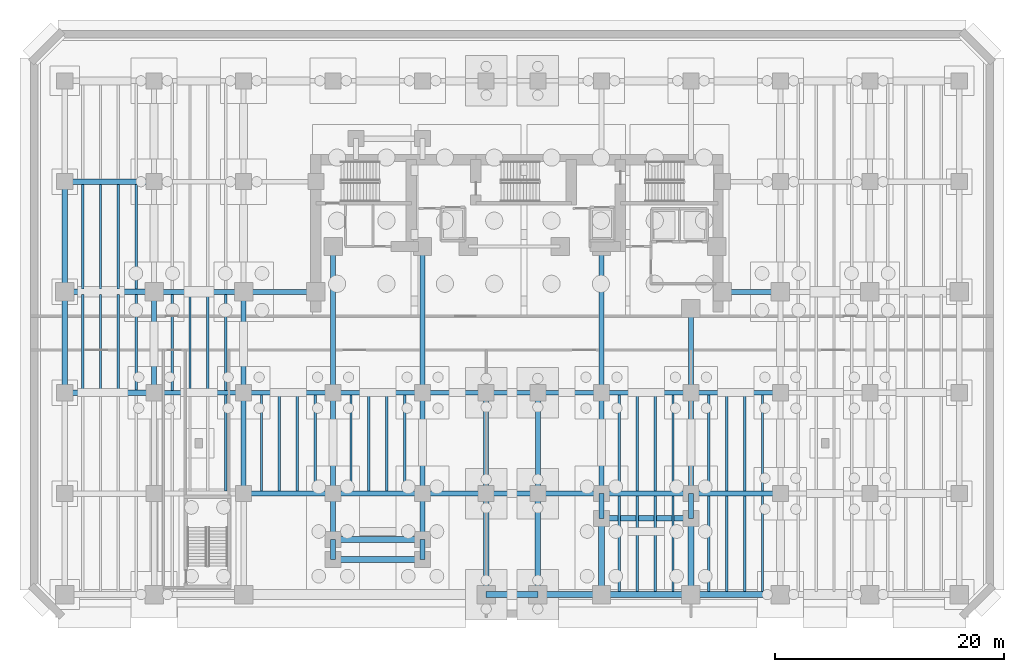
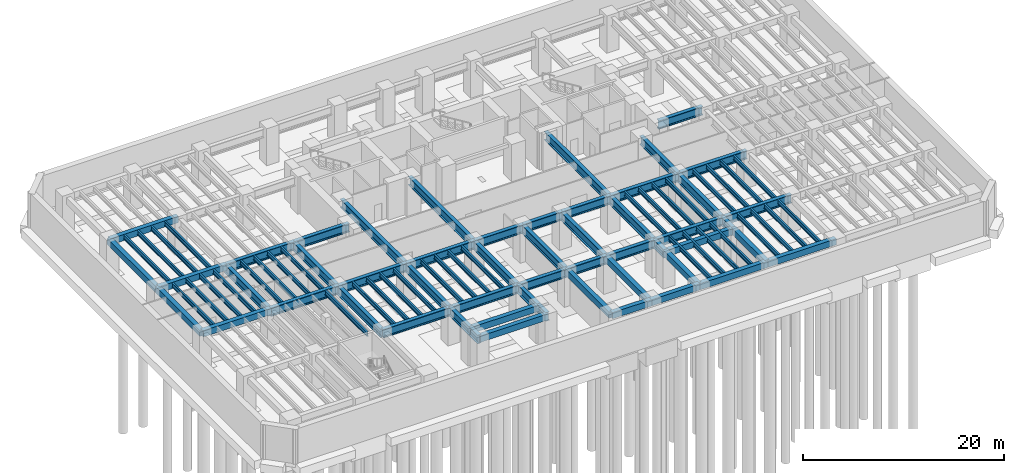
# One storey, part 4 of 13: 90 beams.
"""IFC4 building model written with IfcOpenShell, lengths in metres."""

from ifc_helpers import new_model, si_unit, direction, frame, origin, origin_2d, place, context, subcontext, project, spatial, rectangle, i_section, extrude, material, material_profile, profile_set, type_object, element, save


model = new_model("IFC4")

# Units and contexts
model_context = context("Model", 3, precision=1e-05, world=origin(), true_north=direction((0.0, 1.0)))
body_context = subcontext(model_context, "Body", "Model", "MODEL_VIEW")
ifc_project = project(units=[si_unit("LENGTHUNIT", "METRE"), si_unit("AREAUNIT", "SQUARE_METRE"), si_unit("VOLUMEUNIT", "CUBIC_METRE"), si_unit("PLANEANGLEUNIT", "RADIAN"), si_unit("MASSUNIT", "GRAM", prefix="KILO")], contexts=[model_context])

# Site, building, storey
site_placement = place(None, origin())
site = spatial("IfcSite", under=ifc_project, at=site_placement, CompositionType="ELEMENT")
building_placement = place(site_placement, origin())
building = spatial("IfcBuilding", under=site, at=building_placement, Name="Kestravale Grand Hotel", CompositionType="ELEMENT")
storey_placement = place(building_placement, frame((0.0, 0.0, -9.0)))
storey = spatial("IfcBuildingStorey", under=building, at=storey_placement, Name="B2", CompositionType="ELEMENT", Elevation=-9.0)

# Beams
ifc_material_1 = material(Name="Steel ASTM A992 Grade 50", Category="steel")
ifc_material_profile_1 = material_profile(ifc_material_1, i_section(OverallWidth=0.2099609375, OverallDepth=0.535888671875, WebThickness=0.010986328125, FlangeThickness=0.017333984375, FilletRadius=0.017578125, at=origin_2d()))
ifc_profile_set_1 = profile_set([ifc_material_profile_1], Name="Steel ASTM A992 Grade 50")
beam_type_1 = type_object("IfcBeamType", Name="B-FLR-JST21", PredefinedType="JOIST", material=ifc_profile_set_1)
for number, where, z_axis, x_axis, name in (
    (1, (1.56005859375, 20.25, 3.912109375), (0.0, 1.0, 0.0), (-1.0, 0.0, 0.0), "B2 floor joist 1-2/D-E #1"),
    (2, (3.1201171875, 20.25, 3.912109375), (0.0, 1.0, 0.0), (-1.0, 0.0, 0.0), "B2 floor joist 1-2/D-E #2"),
    (3, (4.679931640625, 20.25, 3.912109375), (0.0, 1.0, 0.0), (-1.0, 0.0, 0.0), "B2 floor joist 1-2/D-E #3"),
    (4, (6.239990234375, 20.25, 3.912109375), (0.0, 1.0, 0.0), (-1.0, 0.0, 0.0), "B2 floor joist 1-2/D-E #4"),
):
    element("IfcBeam", number, at=place(storey_placement, frame(where, z_axis=z_axis, x_axis=x_axis)), inside=storey, type_object=beam_type_1, Name=name, PredefinedType="JOIST", context=body_context, shape_type="SweptSolid", body=[
        extrude(i_section(OverallWidth=0.2099609375, OverallDepth=0.535888671875, WebThickness=0.010986328125, FlangeThickness=0.017333984375, FilletRadius=0.017578125, at=origin_2d()), origin(), (0.0, 0.0, 1.0), 8.300048828125),
    ])
for number, where, z_axis, x_axis, name in (
    (5, (1.56005859375, 29.050048828125, 3.912109375), (0.0, 1.0, 0.0), (-1.0, 0.0, 0.0), "B2 floor joist 1-2/E-F #1"),
    (6, (3.1201171875, 29.050048828125, 3.912109375), (0.0, 1.0, 0.0), (-1.0, 0.0, 0.0), "B2 floor joist 1-2/E-F #2"),
    (7, (4.679931640625, 29.050048828125, 3.912109375), (0.0, 1.0, 0.0), (-1.0, 0.0, 0.0), "B2 floor joist 1-2/E-F #3"),
    (8, (6.239990234375, 29.050048828125, 3.912109375), (0.0, 1.0, 0.0), (-1.0, 0.0, 0.0), "B2 floor joist 1-2/E-F #4"),
):
    element("IfcBeam", number, at=place(storey_placement, frame(where, z_axis=z_axis, x_axis=x_axis)), inside=storey, type_object=beam_type_1, Name=name, PredefinedType="JOIST", context=body_context, shape_type="SweptSolid", body=[
        extrude(i_section(OverallWidth=0.2099609375, OverallDepth=0.535888671875, WebThickness=0.010986328125, FlangeThickness=0.017333984375, FilletRadius=0.017578125, at=origin_2d()), origin(), (0.0, 0.0, 1.0), 9.099853515625),
    ])
for number, where, z_axis, x_axis, name in (
    (9, (14.0400390625, 11.41357421875, 3.912109375), (0.0, 1.0, 0.0), (-1.0, 0.0, 0.0), "B2 floor joist 2-3/C-D #4"),
    (10, (9.360107421875, 20.21337890625, 3.912109375), (0.0, 1.0, 0.0), (-1.0, 0.0, 0.0), "B2 floor joist 2-3/D-E #1"),
    (11, (10.919921875, 20.21337890625, 3.912109375), (0.0, 1.0, 0.0), (-1.0, 0.0, 0.0), "B2 floor joist 2-3/D-E #2"),
    (12, (12.47998046875, 20.21337890625, 3.912109375), (0.0, 1.0, 0.0), (-1.0, 0.0, 0.0), "B2 floor joist 2-3/D-E #3"),
    (13, (14.0400390625, 20.21337890625, 3.912109375), (0.0, 1.0, 0.0), (-1.0, 0.0, 0.0), "B2 floor joist 2-3/D-E #4"),
    (14, (17.159912109375, 11.41357421875, 3.912109375), (0.0, 1.0, 0.0), (-1.0, 0.0, 0.0), "B2 floor joist 3-4/C-D #1"),
    (15, (18.719970703125, 11.41357421875, 3.912109375), (0.0, 1.0, 0.0), (-1.0, 0.0, 0.0), "B2 floor joist 3-4/C-D #2"),
    (16, (20.280029296875, 11.41357421875, 3.912109375), (0.0, 1.0, 0.0), (-1.0, 0.0, 0.0), "B2 floor joist 3-4/C-D #3"),
    (17, (21.840087890625, 11.41357421875, 3.912109375), (0.0, 1.0, 0.0), (-1.0, 0.0, 0.0), "B2 floor joist 3-4/C-D #4"),
    (18, (24.9599609375, 11.41357421875, 3.912109375), (0.0, 1.0, 0.0), (-1.0, 0.0, 0.0), "B2 floor joist 4-5/C-D #1"),
    (19, (26.52001953125, 11.41357421875, 3.912109375), (0.0, 1.0, 0.0), (-1.0, 0.0, 0.0), "B2 floor joist 4-5/C-D #2"),
    (20, (28.080078125, 11.41357421875, 3.912109375), (0.0, 1.0, 0.0), (-1.0, 0.0, 0.0), "B2 floor joist 4-5/C-D #3"),
    (21, (29.639892578125, 11.41357421875, 3.912109375), (0.0, 1.0, 0.0), (-1.0, 0.0, 0.0), "B2 floor joist 4-5/C-D #4"),
):
    element("IfcBeam", number, at=place(storey_placement, frame(where, z_axis=z_axis, x_axis=x_axis)), inside=storey, type_object=beam_type_1, Name=name, PredefinedType="JOIST", context=body_context, shape_type="SweptSolid", body=[
        extrude(i_section(OverallWidth=0.2099609375, OverallDepth=0.535888671875, WebThickness=0.010986328125, FlangeThickness=0.017333984375, FilletRadius=0.017578125, at=origin_2d()), origin(), (0.0, 0.0, 1.0), 8.373046875),
    ])
for number, where, z_axis, x_axis, name in (
    (22, (48.360107421875, 2.64990234375, 3.912109375), (0.0, 1.0, 0.0), (-1.0, 0.0, 0.0), "B2 floor joist 8-9/B-C #1"),
    (23, (49.919921875, 2.64990234375, 3.912109375), (0.0, 1.0, 0.0), (-1.0, 0.0, 0.0), "B2 floor joist 8-9/B-C #2"),
    (24, (51.47998046875, 2.64990234375, 3.912109375), (0.0, 1.0, 0.0), (-1.0, 0.0, 0.0), "B2 floor joist 8-9/B-C #3"),
    (25, (53.0400390625, 2.64990234375, 3.912109375), (0.0, 1.0, 0.0), (-1.0, 0.0, 0.0), "B2 floor joist 8-9/B-C #4"),
):
    element("IfcBeam", number, at=place(storey_placement, frame(where, z_axis=z_axis, x_axis=x_axis)), inside=storey, type_object=beam_type_1, Name=name, PredefinedType="JOIST", context=body_context, shape_type="SweptSolid", body=[
        extrude(i_section(OverallWidth=0.2099609375, OverallDepth=0.535888671875, WebThickness=0.010986328125, FlangeThickness=0.017333984375, FilletRadius=0.017578125, at=origin_2d()), origin(), (0.0, 0.0, 1.0), 8.336669921875),
    ])
for number, where, z_axis, x_axis, name in (
    (26, (48.360107421875, 11.41357421875, 3.912109375), (0.0, 1.0, 0.0), (-1.0, 0.0, 0.0), "B2 floor joist 8-9/C-D #1"),
    (27, (49.919921875, 11.41357421875, 3.912109375), (0.0, 1.0, 0.0), (-1.0, 0.0, 0.0), "B2 floor joist 8-9/C-D #2"),
    (28, (51.47998046875, 11.41357421875, 3.912109375), (0.0, 1.0, 0.0), (-1.0, 0.0, 0.0), "B2 floor joist 8-9/C-D #3"),
    (29, (53.0400390625, 11.41357421875, 3.912109375), (0.0, 1.0, 0.0), (-1.0, 0.0, 0.0), "B2 floor joist 8-9/C-D #4"),
):
    element("IfcBeam", number, at=place(storey_placement, frame(where, z_axis=z_axis, x_axis=x_axis)), inside=storey, type_object=beam_type_1, Name=name, PredefinedType="JOIST", context=body_context, shape_type="SweptSolid", body=[
        extrude(i_section(OverallWidth=0.2099609375, OverallDepth=0.535888671875, WebThickness=0.010986328125, FlangeThickness=0.017333984375, FilletRadius=0.017578125, at=origin_2d()), origin(), (0.0, 0.0, 1.0), 8.373046875),
    ])
for number, where, z_axis, x_axis, name in (
    (30, (56.159912109375, 2.64990234375, 3.912109375), (0.0, 1.0, 0.0), (-1.0, 0.0, 0.0), "B2 floor joist 9-10/B-C #1"),
    (31, (57.719970703125, 2.64990234375, 3.912109375), (0.0, 1.0, 0.0), (-1.0, 0.0, 0.0), "B2 floor joist 9-10/B-C #2"),
    (32, (59.280029296875, 2.64990234375, 3.912109375), (0.0, 1.0, 0.0), (-1.0, 0.0, 0.0), "B2 floor joist 9-10/B-C #3"),
    (33, (60.840087890625, 2.64990234375, 3.912109375), (0.0, 1.0, 0.0), (-1.0, 0.0, 0.0), "B2 floor joist 9-10/B-C #4"),
):
    element("IfcBeam", number, at=place(storey_placement, frame(where, z_axis=z_axis, x_axis=x_axis)), inside=storey, type_object=beam_type_1, Name=name, PredefinedType="JOIST", context=body_context, shape_type="SweptSolid", body=[
        extrude(i_section(OverallWidth=0.2099609375, OverallDepth=0.535888671875, WebThickness=0.010986328125, FlangeThickness=0.017333984375, FilletRadius=0.017578125, at=origin_2d()), origin(), (0.0, 0.0, 1.0), 8.336669921875),
    ])
for number, where, z_axis, x_axis, name in (
    (34, (56.159912109375, 11.41357421875, 3.912109375), (0.0, 1.0, 0.0), (-1.0, 0.0, 0.0), "B2 floor joist 9-10/C-D #1"),
    (35, (57.719970703125, 11.41357421875, 3.912109375), (0.0, 1.0, 0.0), (-1.0, 0.0, 0.0), "B2 floor joist 9-10/C-D #2"),
    (36, (59.280029296875, 11.41357421875, 3.912109375), (0.0, 1.0, 0.0), (-1.0, 0.0, 0.0), "B2 floor joist 9-10/C-D #3"),
    (37, (60.840087890625, 11.41357421875, 3.912109375), (0.0, 1.0, 0.0), (-1.0, 0.0, 0.0), "B2 floor joist 9-10/C-D #4"),
):
    element("IfcBeam", number, at=place(storey_placement, frame(where, z_axis=z_axis, x_axis=x_axis)), inside=storey, type_object=beam_type_1, Name=name, PredefinedType="JOIST", context=body_context, shape_type="SweptSolid", body=[
        extrude(i_section(OverallWidth=0.2099609375, OverallDepth=0.535888671875, WebThickness=0.010986328125, FlangeThickness=0.017333984375, FilletRadius=0.017578125, at=origin_2d()), origin(), (0.0, 0.0, 1.0), 8.373046875),
    ])
ifc_material_2 = material(Name="Concrete f'c 45 MPa", Category="concrete")
ifc_material_profile_2 = material_profile(ifc_material_2, rectangle(XDim=0.5, YDim=0.75, at=origin_2d()))
ifc_profile_set_2 = profile_set([ifc_material_profile_2], Name="Concrete f'c 45 MPa")
beam_type_2 = type_object("IfcBeamType", Name="B-FLR-RC750", PredefinedType="SPANDREL", material=ifc_profile_set_2)
beam_1_placement = place(storey_placement, frame((36.75, 2.39990234375, 3.804931640625), z_axis=(1.0, 0.0, 0.0), x_axis=(0.0, 1.0, 0.0)))
element("IfcBeam", 38, at=beam_1_placement, inside=storey, type_object=beam_type_2, Name="B2 spandrel B:6-7", PredefinedType="SPANDREL", context=body_context, shape_type="SweptSolid", body=[
    extrude(rectangle(XDim=0.5, YDim=0.75, at=origin_2d()), origin(), (0.0, 0.0, 1.0), 4.5),
])
beam_2_placement = place(storey_placement, frame((41.25, 2.39990234375, 3.804931640625), z_axis=(1.0, 0.0, 0.0), x_axis=(0.0, 1.0, 0.0)))
element("IfcBeam", 39, at=beam_2_placement, inside=storey, type_object=beam_type_2, Name="B2 spandrel B:7-8", PredefinedType="SPANDREL", context=body_context, shape_type="SweptSolid", body=[
    extrude(rectangle(XDim=0.5, YDim=0.75, at=origin_2d()), origin(), (0.0, 0.0, 1.0), 5.550048828125),
])
beam_3_placement = place(storey_placement, frame((46.800048828125, 2.39990234375, 3.804931640625), z_axis=(1.0, 0.0, 0.0), x_axis=(0.0, 1.0, 0.0)))
element("IfcBeam", 40, at=beam_3_placement, inside=storey, type_object=beam_type_2, Name="B2 spandrel B:8-9", PredefinedType="SPANDREL", context=body_context, shape_type="SweptSolid", body=[
    extrude(rectangle(XDim=0.5, YDim=0.75, at=origin_2d()), origin(), (0.0, 0.0, 1.0), 7.800048828125),
])
beam_4_placement = place(storey_placement, frame((54.60009765625, 2.39990234375, 3.804931640625), z_axis=(1.0, 0.0, 0.0), x_axis=(0.0, 1.0, 0.0)))
element("IfcBeam", 41, at=beam_4_placement, inside=storey, type_object=beam_type_2, Name="B2 spandrel B:9-10", PredefinedType="SPANDREL", context=body_context, shape_type="SweptSolid", body=[
    extrude(rectangle(XDim=0.5, YDim=0.75, at=origin_2d()), origin(), (0.0, 0.0, 1.0), 7.7998046875),
])
for number, where, z_axis, x_axis, name in (
    (42, (0.0, 20.0, 3.804931640625), (1.0, 0.0, 0.0), (0.0, 1.0, 0.0), "B2 spandrel D:1-2"),
    (43, (0.0, 28.800048828125, 3.804931640625), (1.0, 0.0, 0.0), (0.0, 1.0, 0.0), "B2 spandrel E:1-2"),
    (44, (0.0, 38.39990234375, 3.804931640625), (1.0, 0.0, 0.0), (0.0, 1.0, 0.0), "B2 spandrel F:1-2"),
    (45, (23.39990234375, 5.449951171875, 3.804931640625), (1.0, 0.0, 0.0), (0.0, 1.0, 0.0), "B2 perimeter tie spandrel B1S:4-5"),
    (46, (46.800048828125, 9.050048828125, 3.804931640625), (1.0, 0.0, 0.0), (0.0, 1.0, 0.0), "B2 perimeter tie spandrel B1E:8-9"),
    (47, (23.39990234375, 7.199951171875, 3.804931640625), (1.0, 0.0, 0.0), (0.0, 1.0, 0.0), "B2 perimeter tie spandrel BS:4-5"),
):
    element("IfcBeam", number, at=place(storey_placement, frame(where, z_axis=z_axis, x_axis=x_axis)), inside=storey, type_object=beam_type_2, Name=name, PredefinedType="SPANDREL", context=body_context, shape_type="SweptSolid", body=[
        extrude(rectangle(XDim=0.5, YDim=0.75, at=origin_2d()), origin(), (0.0, 0.0, 1.0), 7.800048828125),
    ])
beam_5_placement = place(storey_placement, frame((0.0, 20.0, 3.804931640625), z_axis=(0.0, 1.0, 0.0), x_axis=(-1.0, 0.0, 0.0)))
element("IfcBeam", 48, at=beam_5_placement, inside=storey, type_object=beam_type_2, Name="B2 spandrel 1:D-E", PredefinedType="SPANDREL", context=body_context, shape_type="SweptSolid", body=[
    extrude(rectangle(XDim=0.5, YDim=0.75, at=origin_2d()), origin(), (0.0, 0.0, 1.0), 8.800048828125),
])
beam_6_placement = place(storey_placement, frame((0.0, 28.800048828125, 3.804931640625), z_axis=(0.0, 1.0, 0.0), x_axis=(-1.0, 0.0, 0.0)))
element("IfcBeam", 49, at=beam_6_placement, inside=storey, type_object=beam_type_2, Name="B2 spandrel 1:E-F", PredefinedType="SPANDREL", context=body_context, shape_type="SweptSolid", body=[
    extrude(rectangle(XDim=0.5, YDim=0.75, at=origin_2d()), origin(), (0.0, 0.0, 1.0), 9.599853515625),
])
for number, where, z_axis, x_axis, name in (
    (50, (36.75, 2.39990234375, 3.804931640625), (0.0, 1.0, 0.0), (-1.0, 0.0, 0.0), "B2 spandrel 6:B-C"),
    (51, (41.25, 2.39990234375, 3.804931640625), (0.0, 1.0, 0.0), (-1.0, 0.0, 0.0), "B2 spandrel 7:B-C"),
):
    element("IfcBeam", number, at=place(storey_placement, frame(where, z_axis=z_axis, x_axis=x_axis)), inside=storey, type_object=beam_type_2, Name=name, PredefinedType="SPANDREL", context=body_context, shape_type="SweptSolid", body=[
        extrude(rectangle(XDim=0.5, YDim=0.75, at=origin_2d()), origin(), (0.0, 0.0, 1.0), 8.800048828125),
    ])
for number, where, z_axis, x_axis, name in (
    (52, (46.800048828125, 2.39990234375, 3.804931640625), (0.0, 1.0, 0.0), (-1.0, 0.0, 0.0), "B2 spandrel 8:B-B1E"),
    (53, (54.60009765625, 2.39990234375, 3.804931640625), (0.0, 1.0, 0.0), (-1.0, 0.0, 0.0), "B2 spandrel 9:B-B1E"),
):
    element("IfcBeam", number, at=place(storey_placement, frame(where, z_axis=z_axis, x_axis=x_axis)), inside=storey, type_object=beam_type_2, Name=name, PredefinedType="SPANDREL", context=body_context, shape_type="SweptSolid", body=[
        extrude(rectangle(XDim=0.5, YDim=0.75, at=origin_2d()), origin(), (0.0, 0.0, 1.0), 6.650146484375),
    ])
ifc_material_3 = material(Name="Steel ASTM A992 Grade 50", Category="steel")
ifc_material_profile_3 = material_profile(ifc_material_3, i_section(OverallWidth=0.427001953125, OverallDepth=1.0400390625, WebThickness=0.031005859375, FlangeThickness=0.055908203125, FilletRadius=0.028076171875, at=origin_2d()))
ifc_profile_set_3 = profile_set([ifc_material_profile_3], Name="Steel ASTM A992 Grade 50")
beam_type_3 = type_object("IfcBeamType", Name="B-GRD-W40", PredefinedType="BEAM", material=ifc_profile_set_3)
beam_7_placement = place(storey_placement, frame((15.60009765625, 11.199951171875, 3.659912109375), z_axis=(1.0, 0.0, 0.0), x_axis=(0.0, 1.0, 0.0)))
element("IfcBeam", 54, at=beam_7_placement, inside=storey, type_object=beam_type_3, Name="B2 girder C:3-4", PredefinedType="BEAM", context=body_context, shape_type="SweptSolid", body=[
    extrude(i_section(OverallWidth=0.427001953125, OverallDepth=1.0400390625, WebThickness=0.031005859375, FlangeThickness=0.055908203125, FilletRadius=0.028076171875, at=origin_2d()), origin(), (0.0, 0.0, 1.0), 7.7998046875),
])
beam_8_placement = place(storey_placement, frame((23.39990234375, 11.199951171875, 3.659912109375), z_axis=(1.0, 0.0, 0.0), x_axis=(0.0, 1.0, 0.0)))
element("IfcBeam", 55, at=beam_8_placement, inside=storey, type_object=beam_type_3, Name="B2 girder C:4-5", PredefinedType="BEAM", context=body_context, shape_type="SweptSolid", body=[
    extrude(i_section(OverallWidth=0.427001953125, OverallDepth=1.0400390625, WebThickness=0.031005859375, FlangeThickness=0.055908203125, FilletRadius=0.028076171875, at=origin_2d()), origin(), (0.0, 0.0, 1.0), 7.800048828125),
])
beam_9_placement = place(storey_placement, frame((31.199951171875, 11.199951171875, 3.659912109375), z_axis=(1.0, 0.0, 0.0), x_axis=(0.0, 1.0, 0.0)))
element("IfcBeam", 56, at=beam_9_placement, inside=storey, type_object=beam_type_3, Name="B2 girder C:5-6", PredefinedType="BEAM", context=body_context, shape_type="SweptSolid", body=[
    extrude(i_section(OverallWidth=0.427001953125, OverallDepth=1.0400390625, WebThickness=0.031005859375, FlangeThickness=0.055908203125, FilletRadius=0.028076171875, at=origin_2d()), origin(), (0.0, 0.0, 1.0), 5.550048828125),
])
beam_10_placement = place(storey_placement, frame((36.75, 11.199951171875, 3.659912109375), z_axis=(1.0, 0.0, 0.0), x_axis=(0.0, 1.0, 0.0)))
element("IfcBeam", 57, at=beam_10_placement, inside=storey, type_object=beam_type_3, Name="B2 girder C:6-7", PredefinedType="BEAM", context=body_context, shape_type="SweptSolid", body=[
    extrude(i_section(OverallWidth=0.427001953125, OverallDepth=1.0400390625, WebThickness=0.031005859375, FlangeThickness=0.055908203125, FilletRadius=0.028076171875, at=origin_2d()), origin(), (0.0, 0.0, 1.0), 4.5),
])
beam_11_placement = place(storey_placement, frame((41.25, 11.199951171875, 3.659912109375), z_axis=(1.0, 0.0, 0.0), x_axis=(0.0, 1.0, 0.0)))
element("IfcBeam", 58, at=beam_11_placement, inside=storey, type_object=beam_type_3, Name="B2 girder C:7-8", PredefinedType="BEAM", context=body_context, shape_type="SweptSolid", body=[
    extrude(i_section(OverallWidth=0.427001953125, OverallDepth=1.0400390625, WebThickness=0.031005859375, FlangeThickness=0.055908203125, FilletRadius=0.028076171875, at=origin_2d()), origin(), (0.0, 0.0, 1.0), 5.550048828125),
])
beam_12_placement = place(storey_placement, frame((46.800048828125, 11.199951171875, 3.659912109375), z_axis=(1.0, 0.0, 0.0), x_axis=(0.0, 1.0, 0.0)))
element("IfcBeam", 59, at=beam_12_placement, inside=storey, type_object=beam_type_3, Name="B2 girder C:8-9", PredefinedType="BEAM", context=body_context, shape_type="SweptSolid", body=[
    extrude(i_section(OverallWidth=0.427001953125, OverallDepth=1.0400390625, WebThickness=0.031005859375, FlangeThickness=0.055908203125, FilletRadius=0.028076171875, at=origin_2d()), origin(), (0.0, 0.0, 1.0), 7.800048828125),
])
beam_13_placement = place(storey_placement, frame((54.60009765625, 11.199951171875, 3.659912109375), z_axis=(1.0, 0.0, 0.0), x_axis=(0.0, 1.0, 0.0)))
element("IfcBeam", 60, at=beam_13_placement, inside=storey, type_object=beam_type_3, Name="B2 girder C:9-10", PredefinedType="BEAM", context=body_context, shape_type="SweptSolid", body=[
    extrude(i_section(OverallWidth=0.427001953125, OverallDepth=1.0400390625, WebThickness=0.031005859375, FlangeThickness=0.055908203125, FilletRadius=0.028076171875, at=origin_2d()), origin(), (0.0, 0.0, 1.0), 7.7998046875),
])
beam_14_placement = place(storey_placement, frame((7.800048828125, 20.0, 3.659912109375), z_axis=(1.0, 0.0, 0.0), x_axis=(0.0, 1.0, 0.0)))
element("IfcBeam", 61, at=beam_14_placement, inside=storey, type_object=beam_type_3, Name="B2 girder D:2-3", PredefinedType="BEAM", context=body_context, shape_type="SweptSolid", body=[
    extrude(i_section(OverallWidth=0.427001953125, OverallDepth=1.0400390625, WebThickness=0.031005859375, FlangeThickness=0.055908203125, FilletRadius=0.028076171875, at=origin_2d()), origin(), (0.0, 0.0, 1.0), 7.800048828125),
])
beam_15_placement = place(storey_placement, frame((15.60009765625, 20.0, 3.659912109375), z_axis=(1.0, 0.0, 0.0), x_axis=(0.0, 1.0, 0.0)))
element("IfcBeam", 62, at=beam_15_placement, inside=storey, type_object=beam_type_3, Name="B2 girder D:3-4", PredefinedType="BEAM", context=body_context, shape_type="SweptSolid", body=[
    extrude(i_section(OverallWidth=0.427001953125, OverallDepth=1.0400390625, WebThickness=0.031005859375, FlangeThickness=0.055908203125, FilletRadius=0.028076171875, at=origin_2d()), origin(), (0.0, 0.0, 1.0), 7.7998046875),
])
beam_16_placement = place(storey_placement, frame((23.39990234375, 20.0, 3.659912109375), z_axis=(1.0, 0.0, 0.0), x_axis=(0.0, 1.0, 0.0)))
element("IfcBeam", 63, at=beam_16_placement, inside=storey, type_object=beam_type_3, Name="B2 girder D:4-5", PredefinedType="BEAM", context=body_context, shape_type="SweptSolid", body=[
    extrude(i_section(OverallWidth=0.427001953125, OverallDepth=1.0400390625, WebThickness=0.031005859375, FlangeThickness=0.055908203125, FilletRadius=0.028076171875, at=origin_2d()), origin(), (0.0, 0.0, 1.0), 7.800048828125),
])
beam_17_placement = place(storey_placement, frame((31.199951171875, 20.0, 3.659912109375), z_axis=(1.0, 0.0, 0.0), x_axis=(0.0, 1.0, 0.0)))
element("IfcBeam", 64, at=beam_17_placement, inside=storey, type_object=beam_type_3, Name="B2 girder D:5-6", PredefinedType="BEAM", context=body_context, shape_type="SweptSolid", body=[
    extrude(i_section(OverallWidth=0.427001953125, OverallDepth=1.0400390625, WebThickness=0.031005859375, FlangeThickness=0.055908203125, FilletRadius=0.028076171875, at=origin_2d()), origin(), (0.0, 0.0, 1.0), 5.550048828125),
])
beam_18_placement = place(storey_placement, frame((36.75, 20.0, 3.659912109375), z_axis=(1.0, 0.0, 0.0), x_axis=(0.0, 1.0, 0.0)))
element("IfcBeam", 65, at=beam_18_placement, inside=storey, type_object=beam_type_3, Name="B2 girder D:6-7", PredefinedType="BEAM", context=body_context, shape_type="SweptSolid", body=[
    extrude(i_section(OverallWidth=0.427001953125, OverallDepth=1.0400390625, WebThickness=0.031005859375, FlangeThickness=0.055908203125, FilletRadius=0.028076171875, at=origin_2d()), origin(), (0.0, 0.0, 1.0), 4.5),
])
beam_19_placement = place(storey_placement, frame((41.25, 20.0, 3.659912109375), z_axis=(1.0, 0.0, 0.0), x_axis=(0.0, 1.0, 0.0)))
element("IfcBeam", 66, at=beam_19_placement, inside=storey, type_object=beam_type_3, Name="B2 girder D:7-8", PredefinedType="BEAM", context=body_context, shape_type="SweptSolid", body=[
    extrude(i_section(OverallWidth=0.427001953125, OverallDepth=1.0400390625, WebThickness=0.031005859375, FlangeThickness=0.055908203125, FilletRadius=0.028076171875, at=origin_2d()), origin(), (0.0, 0.0, 1.0), 5.550048828125),
])
beam_20_placement = place(storey_placement, frame((46.800048828125, 20.0, 3.659912109375), z_axis=(1.0, 0.0, 0.0), x_axis=(0.0, 1.0, 0.0)))
element("IfcBeam", 67, at=beam_20_placement, inside=storey, type_object=beam_type_3, Name="B2 girder D:8-9", PredefinedType="BEAM", context=body_context, shape_type="SweptSolid", body=[
    extrude(i_section(OverallWidth=0.427001953125, OverallDepth=1.0400390625, WebThickness=0.031005859375, FlangeThickness=0.055908203125, FilletRadius=0.028076171875, at=origin_2d()), origin(), (0.0, 0.0, 1.0), 7.800048828125),
])
beam_21_placement = place(storey_placement, frame((54.60009765625, 20.0, 3.659912109375), z_axis=(1.0, 0.0, 0.0), x_axis=(0.0, 1.0, 0.0)))
element("IfcBeam", 68, at=beam_21_placement, inside=storey, type_object=beam_type_3, Name="B2 girder D:9-10", PredefinedType="BEAM", context=body_context, shape_type="SweptSolid", body=[
    extrude(i_section(OverallWidth=0.427001953125, OverallDepth=1.0400390625, WebThickness=0.031005859375, FlangeThickness=0.055908203125, FilletRadius=0.028076171875, at=origin_2d()), origin(), (0.0, 0.0, 1.0), 7.7998046875),
])
beam_22_placement = place(storey_placement, frame((7.800048828125, 28.800048828125, 3.659912109375), z_axis=(1.0, 0.0, 0.0), x_axis=(0.0, 1.0, 0.0)))
element("IfcBeam", 69, at=beam_22_placement, inside=storey, type_object=beam_type_3, Name="B2 girder E:2-3", PredefinedType="BEAM", context=body_context, shape_type="SweptSolid", body=[
    extrude(i_section(OverallWidth=0.427001953125, OverallDepth=1.0400390625, WebThickness=0.031005859375, FlangeThickness=0.055908203125, FilletRadius=0.028076171875, at=origin_2d()), origin(), (0.0, 0.0, 1.0), 7.800048828125),
])
beam_23_placement = place(storey_placement, frame((15.60009765625, 28.800048828125, 3.659912109375), z_axis=(1.0, 0.0, 0.0), x_axis=(0.0, 1.0, 0.0)))
element("IfcBeam", 70, at=beam_23_placement, inside=storey, type_object=beam_type_3, Name="B2 girder E:3-CW", PredefinedType="BEAM", context=body_context, shape_type="SweptSolid", body=[
    extrude(i_section(OverallWidth=0.427001953125, OverallDepth=1.0400390625, WebThickness=0.031005859375, FlangeThickness=0.055908203125, FilletRadius=0.028076171875, at=origin_2d()), origin(), (0.0, 0.0, 1.0), 6.2998046875),
])
beam_24_placement = place(storey_placement, frame((57.35009765625, 28.800048828125, 3.659912109375), z_axis=(1.0, 0.0, 0.0), x_axis=(0.0, 1.0, 0.0)))
element("IfcBeam", 71, at=beam_24_placement, inside=storey, type_object=beam_type_3, Name="B2 girder E:CE-10", PredefinedType="BEAM", context=body_context, shape_type="SweptSolid", body=[
    extrude(i_section(OverallWidth=0.427001953125, OverallDepth=1.0400390625, WebThickness=0.031005859375, FlangeThickness=0.055908203125, FilletRadius=0.028076171875, at=origin_2d()), origin(), (0.0, 0.0, 1.0), 5.0498046875),
])
for number, where, z_axis, x_axis, name in (
    (72, (7.800048828125, 20.0, 3.659912109375), (0.0, 1.0, 0.0), (-1.0, 0.0, 0.0), "B2 girder 2:D-E"),
    (73, (15.60009765625, 11.199951171875, 3.659912109375), (0.0, 1.0, 0.0), (-1.0, 0.0, 0.0), "B2 girder 3:C-D"),
    (74, (15.60009765625, 20.0, 3.659912109375), (0.0, 1.0, 0.0), (-1.0, 0.0, 0.0), "B2 girder 3:D-E"),
):
    element("IfcBeam", number, at=place(storey_placement, frame(where, z_axis=z_axis, x_axis=x_axis)), inside=storey, type_object=beam_type_3, Name=name, PredefinedType="BEAM", context=body_context, shape_type="SweptSolid", body=[
        extrude(i_section(OverallWidth=0.427001953125, OverallDepth=1.0400390625, WebThickness=0.031005859375, FlangeThickness=0.055908203125, FilletRadius=0.028076171875, at=origin_2d()), origin(), (0.0, 0.0, 1.0), 8.800048828125),
    ])
beam_25_placement = place(storey_placement, frame((23.39990234375, 5.449951171875, 3.659912109375), z_axis=(0.0, 1.0, 0.0), x_axis=(-1.0, 0.0, 0.0)))
element("IfcBeam", 75, at=beam_25_placement, inside=storey, type_object=beam_type_3, Name="B2 girder 4:B1S-BS", PredefinedType="BEAM", context=body_context, shape_type="SweptSolid", body=[
    extrude(i_section(OverallWidth=0.427001953125, OverallDepth=1.0400390625, WebThickness=0.031005859375, FlangeThickness=0.055908203125, FilletRadius=0.028076171875, at=origin_2d()), origin(), (0.0, 0.0, 1.0), 1.75),
])
beam_26_placement = place(storey_placement, frame((23.39990234375, 7.199951171875, 3.659912109375), z_axis=(0.0, 1.0, 0.0), x_axis=(-1.0, 0.0, 0.0)))
element("IfcBeam", 76, at=beam_26_placement, inside=storey, type_object=beam_type_3, Name="B2 girder 4:BS-C", PredefinedType="BEAM", context=body_context, shape_type="SweptSolid", body=[
    extrude(i_section(OverallWidth=0.427001953125, OverallDepth=1.0400390625, WebThickness=0.031005859375, FlangeThickness=0.055908203125, FilletRadius=0.028076171875, at=origin_2d()), origin(), (0.0, 0.0, 1.0), 4.0),
])
beam_27_placement = place(storey_placement, frame((23.39990234375, 11.199951171875, 3.659912109375), z_axis=(0.0, 1.0, 0.0), x_axis=(-1.0, 0.0, 0.0)))
element("IfcBeam", 77, at=beam_27_placement, inside=storey, type_object=beam_type_3, Name="B2 girder 4:C-D", PredefinedType="BEAM", context=body_context, shape_type="SweptSolid", body=[
    extrude(i_section(OverallWidth=0.427001953125, OverallDepth=1.0400390625, WebThickness=0.031005859375, FlangeThickness=0.055908203125, FilletRadius=0.028076171875, at=origin_2d()), origin(), (0.0, 0.0, 1.0), 8.800048828125),
])
beam_28_placement = place(storey_placement, frame((23.39990234375, 20.0, 3.659912109375), z_axis=(0.0, 1.0, 0.0), x_axis=(-1.0, 0.0, 0.0)))
element("IfcBeam", 78, at=beam_28_placement, inside=storey, type_object=beam_type_3, Name="B2 girder 4:D-CS", PredefinedType="BEAM", context=body_context, shape_type="SweptSolid", body=[
    extrude(i_section(OverallWidth=0.427001953125, OverallDepth=1.0400390625, WebThickness=0.031005859375, FlangeThickness=0.055908203125, FilletRadius=0.028076171875, at=origin_2d()), origin(), (0.0, 0.0, 1.0), 12.75),
])
beam_29_placement = place(storey_placement, frame((31.199951171875, 5.449951171875, 3.659912109375), z_axis=(0.0, 1.0, 0.0), x_axis=(-1.0, 0.0, 0.0)))
element("IfcBeam", 79, at=beam_29_placement, inside=storey, type_object=beam_type_3, Name="B2 girder 5:B1S-BS", PredefinedType="BEAM", context=body_context, shape_type="SweptSolid", body=[
    extrude(i_section(OverallWidth=0.427001953125, OverallDepth=1.0400390625, WebThickness=0.031005859375, FlangeThickness=0.055908203125, FilletRadius=0.028076171875, at=origin_2d()), origin(), (0.0, 0.0, 1.0), 1.75),
])
beam_30_placement = place(storey_placement, frame((31.199951171875, 7.199951171875, 3.659912109375), z_axis=(0.0, 1.0, 0.0), x_axis=(-1.0, 0.0, 0.0)))
element("IfcBeam", 80, at=beam_30_placement, inside=storey, type_object=beam_type_3, Name="B2 girder 5:BS-C", PredefinedType="BEAM", context=body_context, shape_type="SweptSolid", body=[
    extrude(i_section(OverallWidth=0.427001953125, OverallDepth=1.0400390625, WebThickness=0.031005859375, FlangeThickness=0.055908203125, FilletRadius=0.028076171875, at=origin_2d()), origin(), (0.0, 0.0, 1.0), 4.0),
])
beam_31_placement = place(storey_placement, frame((31.199951171875, 11.199951171875, 3.659912109375), z_axis=(0.0, 1.0, 0.0), x_axis=(-1.0, 0.0, 0.0)))
element("IfcBeam", 81, at=beam_31_placement, inside=storey, type_object=beam_type_3, Name="B2 girder 5:C-D", PredefinedType="BEAM", context=body_context, shape_type="SweptSolid", body=[
    extrude(i_section(OverallWidth=0.427001953125, OverallDepth=1.0400390625, WebThickness=0.031005859375, FlangeThickness=0.055908203125, FilletRadius=0.028076171875, at=origin_2d()), origin(), (0.0, 0.0, 1.0), 8.800048828125),
])
beam_32_placement = place(storey_placement, frame((31.199951171875, 20.0, 3.659912109375), z_axis=(0.0, 1.0, 0.0), x_axis=(-1.0, 0.0, 0.0)))
element("IfcBeam", 82, at=beam_32_placement, inside=storey, type_object=beam_type_3, Name="B2 girder 5:D-CS", PredefinedType="BEAM", context=body_context, shape_type="SweptSolid", body=[
    extrude(i_section(OverallWidth=0.427001953125, OverallDepth=1.0400390625, WebThickness=0.031005859375, FlangeThickness=0.055908203125, FilletRadius=0.028076171875, at=origin_2d()), origin(), (0.0, 0.0, 1.0), 12.75),
])
for number, where, z_axis, x_axis, name in (
    (83, (36.75, 11.199951171875, 3.659912109375), (0.0, 1.0, 0.0), (-1.0, 0.0, 0.0), "B2 girder 6:C-D"),
    (84, (41.25, 11.199951171875, 3.659912109375), (0.0, 1.0, 0.0), (-1.0, 0.0, 0.0), "B2 girder 7:C-D"),
):
    element("IfcBeam", number, at=place(storey_placement, frame(where, z_axis=z_axis, x_axis=x_axis)), inside=storey, type_object=beam_type_3, Name=name, PredefinedType="BEAM", context=body_context, shape_type="SweptSolid", body=[
        extrude(i_section(OverallWidth=0.427001953125, OverallDepth=1.0400390625, WebThickness=0.031005859375, FlangeThickness=0.055908203125, FilletRadius=0.028076171875, at=origin_2d()), origin(), (0.0, 0.0, 1.0), 8.800048828125),
    ])
beam_33_placement = place(storey_placement, frame((46.800048828125, 9.050048828125, 3.659912109375), z_axis=(0.0, 1.0, 0.0), x_axis=(-1.0, 0.0, 0.0)))
element("IfcBeam", 85, at=beam_33_placement, inside=storey, type_object=beam_type_3, Name="B2 girder 8:B1E-C", PredefinedType="BEAM", context=body_context, shape_type="SweptSolid", body=[
    extrude(i_section(OverallWidth=0.427001953125, OverallDepth=1.0400390625, WebThickness=0.031005859375, FlangeThickness=0.055908203125, FilletRadius=0.028076171875, at=origin_2d()), origin(), (0.0, 0.0, 1.0), 2.14990234375),
])
beam_34_placement = place(storey_placement, frame((46.800048828125, 11.199951171875, 3.659912109375), z_axis=(0.0, 1.0, 0.0), x_axis=(-1.0, 0.0, 0.0)))
element("IfcBeam", 86, at=beam_34_placement, inside=storey, type_object=beam_type_3, Name="B2 girder 8:C-D", PredefinedType="BEAM", context=body_context, shape_type="SweptSolid", body=[
    extrude(i_section(OverallWidth=0.427001953125, OverallDepth=1.0400390625, WebThickness=0.031005859375, FlangeThickness=0.055908203125, FilletRadius=0.028076171875, at=origin_2d()), origin(), (0.0, 0.0, 1.0), 8.800048828125),
])
beam_35_placement = place(storey_placement, frame((46.800048828125, 20.0, 3.659912109375), z_axis=(0.0, 1.0, 0.0), x_axis=(-1.0, 0.0, 0.0)))
element("IfcBeam", 87, at=beam_35_placement, inside=storey, type_object=beam_type_3, Name="B2 girder 8:D-CS", PredefinedType="BEAM", context=body_context, shape_type="SweptSolid", body=[
    extrude(i_section(OverallWidth=0.427001953125, OverallDepth=1.0400390625, WebThickness=0.031005859375, FlangeThickness=0.055908203125, FilletRadius=0.028076171875, at=origin_2d()), origin(), (0.0, 0.0, 1.0), 12.75),
])
beam_36_placement = place(storey_placement, frame((54.60009765625, 9.050048828125, 3.659912109375), z_axis=(0.0, 1.0, 0.0), x_axis=(-1.0, 0.0, 0.0)))
element("IfcBeam", 88, at=beam_36_placement, inside=storey, type_object=beam_type_3, Name="B2 girder 9:B1E-C", PredefinedType="BEAM", context=body_context, shape_type="SweptSolid", body=[
    extrude(i_section(OverallWidth=0.427001953125, OverallDepth=1.0400390625, WebThickness=0.031005859375, FlangeThickness=0.055908203125, FilletRadius=0.028076171875, at=origin_2d()), origin(), (0.0, 0.0, 1.0), 2.14990234375),
])
beam_37_placement = place(storey_placement, frame((54.60009765625, 11.199951171875, 3.659912109375), z_axis=(0.0, 1.0, 0.0), x_axis=(-1.0, 0.0, 0.0)))
element("IfcBeam", 89, at=beam_37_placement, inside=storey, type_object=beam_type_3, Name="B2 girder 9:C-D", PredefinedType="BEAM", context=body_context, shape_type="SweptSolid", body=[
    extrude(i_section(OverallWidth=0.427001953125, OverallDepth=1.0400390625, WebThickness=0.031005859375, FlangeThickness=0.055908203125, FilletRadius=0.028076171875, at=origin_2d()), origin(), (0.0, 0.0, 1.0), 8.800048828125),
])
beam_38_placement = place(storey_placement, frame((54.60009765625, 20.0, 3.659912109375), z_axis=(0.0, 1.0, 0.0), x_axis=(-1.0, 0.0, 0.0)))
element("IfcBeam", 90, at=beam_38_placement, inside=storey, type_object=beam_type_3, Name="B2 girder 9:D-CS", PredefinedType="BEAM", context=body_context, shape_type="SweptSolid", body=[
    extrude(i_section(OverallWidth=0.427001953125, OverallDepth=1.0400390625, WebThickness=0.031005859375, FlangeThickness=0.055908203125, FilletRadius=0.028076171875, at=origin_2d()), origin(), (0.0, 0.0, 1.0), 7.35009765625),
])

save(model, "model.ifc")
